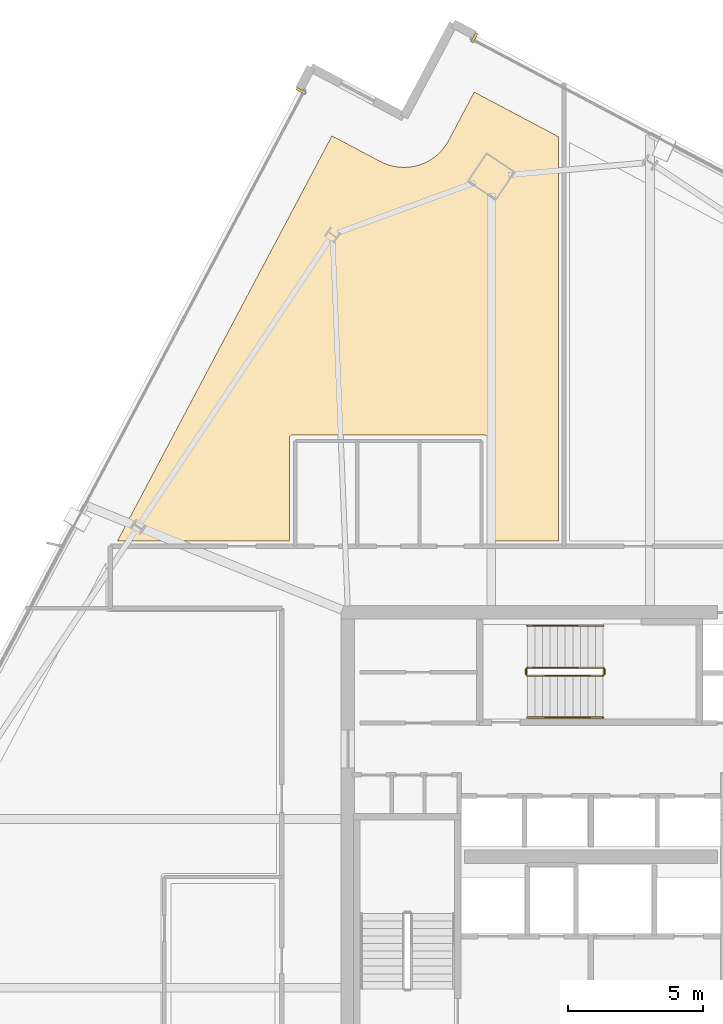
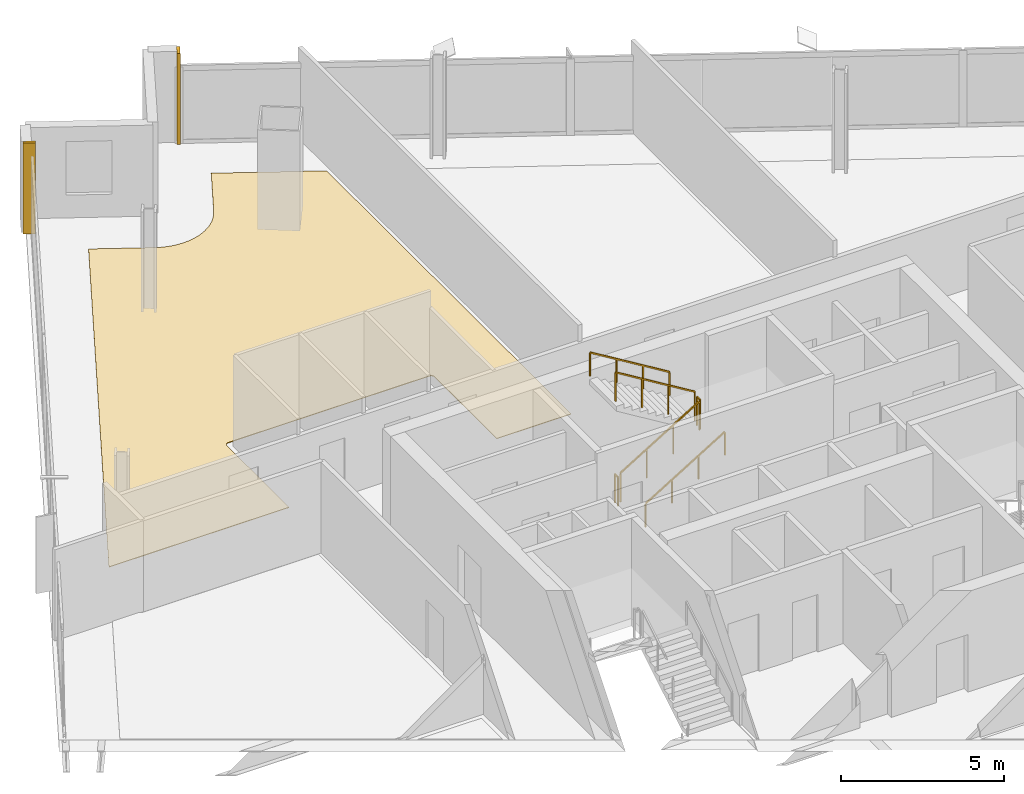
# One storey, part 27 of 28: 6 railings, 3 coverings.
"""IFC4 building model written with IfcOpenShell, lengths in metres."""

from ifc_helpers import new_model, si_unit, direction, frame, origin, origin_2d, place, context, subcontext, project, spatial, polyline, rectangle, outline, extrude, source, transform, mapped, material, layer, layer_set, type_object, element, save


model = new_model("IFC4")

# Units and contexts
model_context = context("Model", 3, precision=1e-05, world=origin(), true_north=direction((0.0, 1.0)))
body_context = subcontext(model_context, "Body", "Model", "MODEL_VIEW")
ifc_project = project(units=[si_unit("LENGTHUNIT", "METRE"), si_unit("AREAUNIT", "SQUARE_METRE"), si_unit("VOLUMEUNIT", "CUBIC_METRE"), si_unit("PLANEANGLEUNIT", "RADIAN"), si_unit("MASSUNIT", "GRAM", prefix="KILO")], contexts=[model_context])

# Site, building, storey
site_placement = place(None, origin())
site = spatial("IfcSite", under=ifc_project, at=site_placement, CompositionType="ELEMENT")
building_placement = place(site_placement, origin())
building = spatial("IfcBuilding", under=site, at=building_placement, Name="Haldenkirk Collegiate Tower", CompositionType="ELEMENT")
storey_placement = place(building_placement, frame((0.0, 0.0, 235.949951171875)))
storey = spatial("IfcBuildingStorey", under=building, at=storey_placement, Name="L59", CompositionType="ELEMENT", Elevation=235.949951171875)

# Covering
ifc_material_1 = material(Name="Engineered collegiate oak acoustic flooring", Category="wood")
ifc_layer_1 = layer(ifc_material_1, 0.02197265625)
ifc_layer_set_1 = layer_set([ifc_layer_1], Name="Engineered collegiate oak acoustic flooring")
covering_type_1 = type_object("IfcCoveringType", Name="COV-FLOOR-TIMBER", PredefinedType="FLOORING", material=ifc_layer_set_1)
covering_placement = place(storey_placement, origin())
element("IfcCovering", 1, at=covering_placement, inside=storey, type_object=covering_type_1, Name="L59 academic room finish 07", PredefinedType="FLOORING", context=body_context, shape_type="SweptSolid", body=[
    extrude(outline(polyline([(32.169921875, 40.449951171875), (32.16943359375, 40.4619140625), (32.167724609375, 40.473388671875), (32.164794921875, 40.48486328125), (32.160888671875, 40.495849609375), (32.15576171875, 40.506591796875), (32.14990234375, 40.5166015625), (32.142822265625, 40.526123046875), (32.135009765625, 40.534912109375), (32.126220703125, 40.542724609375), (32.11669921875, 40.5498046875), (32.106689453125, 40.555908203125), (32.095947265625, 40.560791015625), (32.084716796875, 40.564697265625), (32.073486328125, 40.567626953125), (32.061767578125, 40.5693359375), (32.050048828125, 40.570068359375), (24.949951171875, 40.570068359375), (24.938232421875, 40.5693359375), (24.926513671875, 40.567626953125), (24.915283203125, 40.564697265625), (24.904052734375, 40.560791015625), (24.893310546875, 40.555908203125), (24.88330078125, 40.5498046875), (24.873779296875, 40.542724609375), (24.864990234375, 40.534912109375), (24.857177734375, 40.526123046875), (24.85009765625, 40.5166015625), (24.84423828125, 40.506591796875), (24.839111328125, 40.495849609375), (24.835205078125, 40.48486328125), (24.832275390625, 40.473388671875), (24.83056640625, 40.4619140625), (24.830078125, 40.449951171875), (24.830078125, 36.64990234375), (18.46533203125, 36.64990234375), (26.407470703125, 51.64990234375), (28.201416015625, 50.7001953125), (28.206787109375, 50.697509765625), (28.3623046875, 50.624755859375), (28.373291015625, 50.620361328125), (28.53515625, 50.56298828125), (28.54638671875, 50.559814453125), (28.713134765625, 50.5185546875), (28.724609375, 50.516357421875), (28.894775390625, 50.49169921875), (28.906494140625, 50.49072265625), (29.077880859375, 50.48291015625), (29.08984375, 50.48291015625), (29.26123046875, 50.4921875), (29.27294921875, 50.493408203125), (29.44287109375, 50.519287109375), (29.454345703125, 50.521484375), (29.62060546875, 50.56396484375), (29.632080078125, 50.5673828125), (29.79345703125, 50.6259765625), (29.80419921875, 50.63037109375), (29.959228515625, 50.704345703125), (29.969482421875, 50.7099609375), (30.11669921875, 50.798828125), (30.12646484375, 50.805419921875), (30.263916015625, 50.908203125), (30.27294921875, 50.915771484375), (30.399658203125, 51.031494140625), (30.407958984375, 51.0400390625), (30.522705078125, 51.167724609375), (30.5302734375, 51.1767578125), (30.632080078125, 51.315185546875), (30.638671875, 51.324951171875), (30.726318359375, 51.47265625), (30.729248046875, 51.477783203125), (31.678955078125, 53.271728515625), (34.800048828125, 51.619384765625), (34.800048828125, 36.64990234375), (32.169921875, 36.64990234375), (32.169921875, 40.449951171875)])), origin(), (0.0, 0.0, 1.0), 0.02197265625),
])

# Railings
ifc_material_2 = material(Name="Painted architectural tubular steel", Category="steel")
railing_type_1 = type_object("IfcRailingType", Name="RLG-STAIR-GUARD-1100", PredefinedType="BALUSTRADE", material=ifc_material_2)
railing_1_placement = place(storey_placement, frame((33.64990234375, 31.64990234375, 0.17041015625)))
element("IfcRailing", 2, at=railing_1_placement, inside=storey, type_object=railing_type_1, Name="L59 ST-3 stair guard 1", PredefinedType="BALUSTRADE", context=body_context, shape_type="SweptSolid", body=[
    extrude(rectangle(XDim=0.048095703125, YDim=0.048095703125, at=origin_2d()), frame((0.0, 0.0, 1.076171875), z_axis=(0.854169791009, 0.0, 0.51999420009), x_axis=(0.0, 1.0, 0.0)), (0.0, 0.0, 1.0), 3.278076171875),
    extrude(rectangle(XDim=0.0419921875, YDim=0.0419921875, at=origin_2d()), origin(), (0.0, 0.0, 1.0), 1.052001953125),
    extrude(rectangle(XDim=0.0419921875, YDim=0.0419921875, at=origin_2d()), frame((0.933349609375, 0.0, 0.568115234375)), (0.0, 0.0, 1.0), 1.052001953125),
    extrude(rectangle(XDim=0.0419921875, YDim=0.0419921875, at=origin_2d()), frame((1.86669921875, 0.0, 1.136474609375)), (0.0, 0.0, 1.0), 1.052001953125),
    extrude(rectangle(XDim=0.0419921875, YDim=0.0419921875, at=origin_2d()), frame((2.800048828125, 0.0, 1.70458984375)), (0.0, 0.0, 1.0), 1.052001953125),
])
railing_2_placement = place(storey_placement, frame((36.5, 31.699951171875, 1.875)))
element("IfcRailing", 3, at=railing_2_placement, inside=storey, type_object=railing_type_1, Name="L59 ST-3 stair guard 2", PredefinedType="BALUSTRADE", context=body_context, shape_type="SweptSolid", body=[
    extrude(rectangle(XDim=0.048095703125, YDim=0.048095703125, at=origin_2d()), frame((0.0, 0.0, 1.076171875), z_axis=(0.0, 1.0, 0.0), x_axis=(-1.0, 0.0, 0.0)), (0.0, 0.0, 1.0), 0.199951171875),
    extrude(rectangle(XDim=0.0419921875, YDim=0.0419921875, at=origin_2d()), origin(), (0.0, 0.0, 1.0), 1.052001953125),
    extrude(rectangle(XDim=0.0419921875, YDim=0.0419921875, at=origin_2d()), frame((0.0, 0.199951171875, 0.0)), (0.0, 0.0, 1.0), 1.052001953125),
])
railing_3_placement = place(storey_placement, frame((36.449951171875, 31.949951171875, 2.04541015625)))
element("IfcRailing", 4, at=railing_3_placement, inside=storey, type_object=railing_type_1, Name="L59 ST-3 stair guard 3", PredefinedType="BALUSTRADE", context=body_context, shape_type="SweptSolid", body=[
    extrude(rectangle(XDim=0.048095703125, YDim=0.048095703125, at=origin_2d()), frame((0.0, 0.0, 1.076171875), z_axis=(-0.854169791009, 0.0, 0.51999420009), x_axis=(0.0, -1.0, 0.0)), (0.0, 0.0, 1.0), 3.278076171875),
    extrude(rectangle(XDim=0.0419921875, YDim=0.0419921875, at=origin_2d()), origin(), (0.0, 0.0, 1.0), 1.052001953125),
    extrude(rectangle(XDim=0.0419921875, YDim=0.0419921875, at=origin_2d()), frame((-0.933349609375, 0.0, 0.568115234375)), (0.0, 0.0, 1.0), 1.052001953125),
    extrude(rectangle(XDim=0.0419921875, YDim=0.0419921875, at=origin_2d()), frame((-1.86669921875, 0.0, 1.136474609375)), (0.0, 0.0, 1.0), 1.052001953125),
    extrude(rectangle(XDim=0.0419921875, YDim=0.0419921875, at=origin_2d()), frame((-2.800048828125, 0.0, 1.70458984375)), (0.0, 0.0, 1.0), 1.052001953125),
])
railing_4_placement = place(storey_placement, frame((33.60009765625, 31.699951171875, 0.0)))
element("IfcRailing", 5, at=railing_4_placement, inside=storey, type_object=railing_type_1, Name="L59 ST-3 stair guard 4", PredefinedType="BALUSTRADE", context=body_context, shape_type="SweptSolid", body=[
    extrude(rectangle(XDim=0.048095703125, YDim=0.048095703125, at=origin_2d()), frame((0.0, 0.0, 1.076171875), z_axis=(0.0, 1.0, 0.0), x_axis=(-1.0, 0.0, 0.0)), (0.0, 0.0, 1.0), 0.199951171875),
    extrude(rectangle(XDim=0.0419921875, YDim=0.0419921875, at=origin_2d()), origin(), (0.0, 0.0, 1.0), 1.052001953125),
    extrude(rectangle(XDim=0.0419921875, YDim=0.0419921875, at=origin_2d()), frame((0.0, 0.199951171875, 0.0)), (0.0, 0.0, 1.0), 1.052001953125),
])
railing_type_2 = type_object("IfcRailingType", Name="RLG-STAIR-HANDRAIL-900", PredefinedType="HANDRAIL", material=ifc_material_2)
railing_5_placement = place(storey_placement, frame((33.64990234375, 30.10009765625, 0.17041015625)))
element("IfcRailing", 6, at=railing_5_placement, inside=storey, type_object=railing_type_2, Name="L59 ST-3 stair handrail 1", PredefinedType="HANDRAIL", context=body_context, shape_type="SweptSolid", body=[
    extrude(rectangle(XDim=0.048095703125, YDim=0.048095703125, at=origin_2d()), frame((0.0, 0.0, 0.8759765625), z_axis=(0.854169791009, 0.0, 0.51999420009), x_axis=(0.0, 1.0, 0.0)), (0.0, 0.0, 1.0), 3.278076171875),
    extrude(rectangle(XDim=0.0419921875, YDim=0.0419921875, at=origin_2d()), origin(), (0.0, 0.0, 1.0), 0.851806640625),
    extrude(rectangle(XDim=0.0419921875, YDim=0.0419921875, at=origin_2d()), frame((0.933349609375, 0.0, 0.568115234375)), (0.0, 0.0, 1.0), 0.851806640625),
    extrude(rectangle(XDim=0.0419921875, YDim=0.0419921875, at=origin_2d()), frame((1.86669921875, 0.0, 1.136474609375)), (0.0, 0.0, 1.0), 0.851806640625),
    extrude(rectangle(XDim=0.0419921875, YDim=0.0419921875, at=origin_2d()), frame((2.800048828125, 0.0, 1.70458984375)), (0.0, 0.0, 1.0), 0.851806640625),
])
railing_6_placement = place(storey_placement, frame((36.449951171875, 33.5, 2.04541015625)))
element("IfcRailing", 7, at=railing_6_placement, inside=storey, type_object=railing_type_2, Name="L59 ST-3 stair handrail 2", PredefinedType="HANDRAIL", context=body_context, shape_type="SweptSolid", body=[
    extrude(rectangle(XDim=0.048095703125, YDim=0.048095703125, at=origin_2d()), frame((0.0, 0.0, 0.8759765625), z_axis=(-0.854169791009, 0.0, 0.51999420009), x_axis=(0.0, -1.0, 0.0)), (0.0, 0.0, 1.0), 3.278076171875),
    extrude(rectangle(XDim=0.0419921875, YDim=0.0419921875, at=origin_2d()), origin(), (0.0, 0.0, 1.0), 0.851806640625),
    extrude(rectangle(XDim=0.0419921875, YDim=0.0419921875, at=origin_2d()), frame((-0.933349609375, 0.0, 0.568115234375)), (0.0, 0.0, 1.0), 0.851806640625),
    extrude(rectangle(XDim=0.0419921875, YDim=0.0419921875, at=origin_2d()), frame((-1.86669921875, 0.0, 1.136474609375)), (0.0, 0.0, 1.0), 0.851806640625),
    extrude(rectangle(XDim=0.0419921875, YDim=0.0419921875, at=origin_2d()), frame((-2.800048828125, 0.0, 1.70458984375)), (0.0, 0.0, 1.0), 0.851806640625),
])

# Coverings
ifc_material_3 = material(Name="Anodised architectural bronze aluminium", Category="aluminium")
ifc_layer_2 = layer(ifc_material_3, 0.06005859375)
ifc_layer_set_2 = layer_set([ifc_layer_2], Name="Anodised architectural bronze aluminium")
covering_type_2 = type_object("IfcCoveringType", Name="COV-CLAD-BRONZE-60", PredefinedType="CLADDING", material=ifc_layer_set_2)
shared_shape = source(origin(), body_context, "Body", "SweptSolid", [
    extrude(rectangle(XDim=0.10009765625, YDim=0.3798828125, at=origin_2d()), origin(), (0.0, 0.0, 1.0), 3.39990234375),
])
for number, where, z_axis, x_axis, name in (
    (8, (31.68115234375, 55.284912109375, 0.0), (0.0, 0.0, 1.0), (0.883765630089, -0.467929814261, 0.0), "L59 recessed curtain-wall bronze jamb closure EJL"),
    (9, (25.274169921875, 53.313720703125, 0.0), (0.0, 0.0, 1.0), (0.467929814261, 0.883765630089, 0.0), "L59 recessed curtain-wall bronze jamb closure NJR"),
):
    element("IfcCovering", number, at=place(storey_placement, frame(where, z_axis=z_axis, x_axis=x_axis)), inside=storey, type_object=covering_type_2, Name=name, PredefinedType="CLADDING", context=body_context, shape_type="MappedRepresentation", body=[
        mapped(shared_shape, transform((0.0, 0.0, 0.0), x_axis=(1.0, 0.0, 0.0), y_axis=(0.0, 1.0, 0.0), z_axis=(0.0, 0.0, 1.0), scale=1.0)),
    ])

save(model, "model.ifc")
